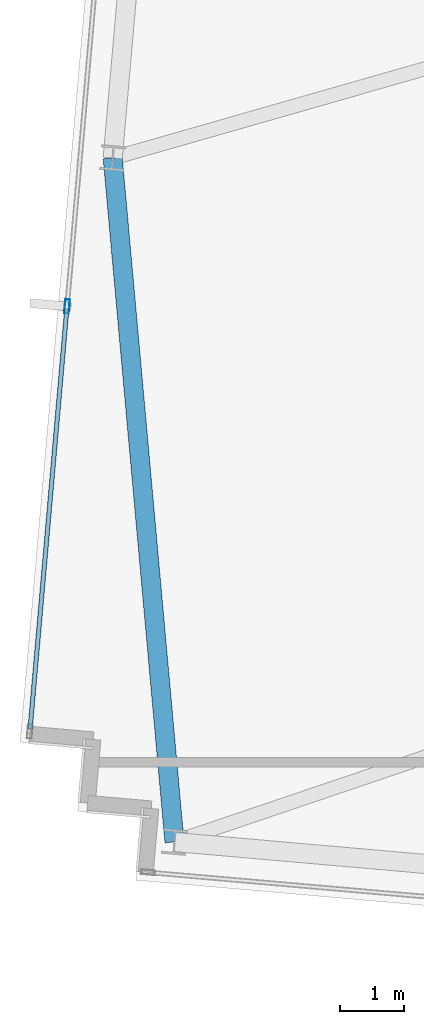
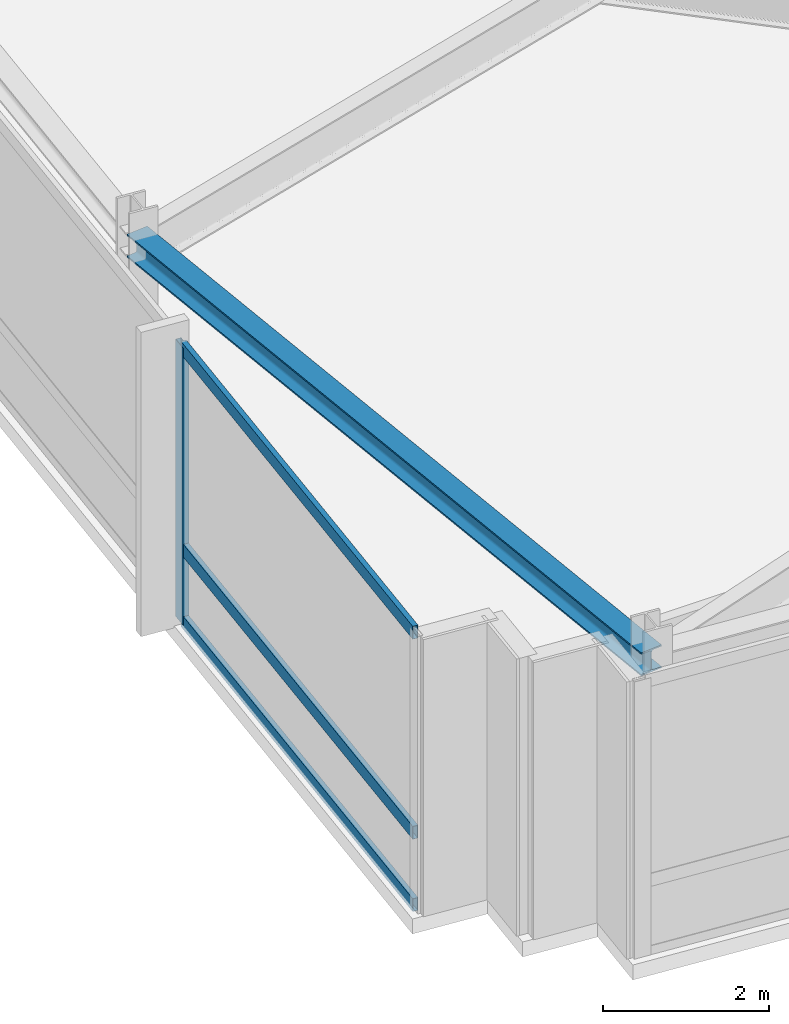
# One storey, part 3 of 25: 4 members, 1 beam, 1 element without a shape of its own.
"""IFC4 building model written with IfcOpenShell, lengths in metres."""

from ifc_helpers import new_model, si_unit, direction, frame, origin, origin_2d, place, context, subcontext, project, spatial, hollow_rectangle, i_section, extrude, material, material_profile, profile_set, type_object, element, aggregate, save


model = new_model("IFC4")

# Units and contexts
model_context = context("Model", 3, precision=1e-05, world=origin(), true_north=direction((0.0, 1.0)))
body_context = subcontext(model_context, "Body", "Model", "MODEL_VIEW")
ifc_project = project(units=[si_unit("LENGTHUNIT", "METRE"), si_unit("AREAUNIT", "SQUARE_METRE"), si_unit("VOLUMEUNIT", "CUBIC_METRE"), si_unit("PLANEANGLEUNIT", "RADIAN"), si_unit("MASSUNIT", "GRAM", prefix="KILO")], contexts=[model_context])

# Site, building, storey
site_placement = place(None, origin())
site = spatial("IfcSite", under=ifc_project, at=site_placement, CompositionType="ELEMENT")
building_placement = place(site_placement, origin())
building = spatial("IfcBuilding", under=site, at=building_placement, Name="Yelkora Congress Tower", CompositionType="ELEMENT")
storey_placement = place(building_placement, frame((0.0, 0.0, 299.89990234375)))
storey = spatial("IfcBuildingStorey", under=building, at=storey_placement, Name="L84", CompositionType="ELEMENT", Elevation=299.89990234375)

# Beam
ifc_material_1 = material(Name="Steel S355J2", Category="steel")
ifc_material_profile_1 = material_profile(ifc_material_1, i_section(OverallWidth=0.300048828125, OverallDepth=0.340087890625, WebThickness=0.011962890625, FlangeThickness=0.021484375, FilletRadius=0.027099609375, at=origin_2d()), Name="HEB 340")
ifc_profile_set_1 = profile_set([ifc_material_profile_1], Name="Steel S355J2")
beam_type = type_object("IfcBeamType", Name="BM-SPAN-HEB340", PredefinedType="SPANDREL", material=ifc_profile_set_1)
beam_placement = place(storey_placement, frame((7.029052734375, 30.822998046875, 3.91015625), z_axis=(0.08998177561, -0.995943412076, 0.0), x_axis=(0.995943412076, 0.08998177561, 0.0)))
element("IfcBeam", 1, at=beam_placement, inside=storey, type_object=beam_type, Name="L84 Perimeter Beam 15", PredefinedType="SPANDREL", context=body_context, shape_type="SweptSolid", body=[
    extrude(i_section(OverallWidth=0.300048828125, OverallDepth=0.340087890625, WebThickness=0.011962890625, FlangeThickness=0.021484375, FilletRadius=0.027099609375, at=origin_2d()), origin(), (0.0, 0.0, 1.0), 10.768798828125),
])

# Curtain wall, members
ifc_material_2 = material(Name="Anodised aluminium and insulated glass", Category="aluminium")
curtain_wall_type = type_object("IfcCurtainWallType", Name="CW-SYS-SKY", PredefinedType="NOTDEFINED", material=ifc_material_2)
curtain_wall_placement = place(storey_placement, origin())
curtain_wall = element("IfcCurtainWall", 2, at=curtain_wall_placement, inside=storey, type_object=curtain_wall_type, Name="L84 Unitised Curtain Wall 5", PredefinedType="NOTDEFINED")
ifc_material_3 = material(Name="Anodised aluminium 6063-T6", Category="aluminium")
ifc_material_profile_2 = material_profile(ifc_material_3, hollow_rectangle(XDim=0.074951171875, YDim=0.219970703125, WallThickness=0.0048828125, at=origin_2d()), Name="ALU 75x220x5")
ifc_profile_set_2 = profile_set([ifc_material_profile_2], Name="Anodised aluminium 6063-T6")
member_type_1 = type_object("IfcMemberType", Name="MEM-ML-SKY", PredefinedType="MULLION", material=ifc_profile_set_2)
member_1_placement = place(storey_placement, frame((6.313720703125, 28.49658203125, 0.0), z_axis=(0.0, 0.0, 1.0), x_axis=(-0.996194785929, 0.08715473876, 0.0)))
member_1 = element("IfcMember", 3, at=member_1_placement, type_object=member_type_1, Name="CW-SKY mullion 2", PredefinedType="MULLION", context=body_context, shape_type="SweptSolid", body=[
    extrude(hollow_rectangle(XDim=0.074951171875, YDim=0.219970703125, WallThickness=0.0048828125, at=origin_2d()), origin(), (0.0, 0.0, 1.0), 4.080078125),
])
ifc_material_profile_3 = material_profile(ifc_material_3, hollow_rectangle(XDim=0.070068359375, YDim=0.18994140625, WallThickness=0.00390625, at=origin_2d()), Name="ALU 70x190x4")
ifc_profile_set_3 = profile_set([ifc_material_profile_3], Name="Anodised aluminium 6063-T6")
member_type_2 = type_object("IfcMemberType", Name="MEM-TR-SKY", PredefinedType="USERDEFINED", material=ifc_profile_set_3)
member_2_placement = place(storey_placement, frame((5.733642578125, 21.866943359375, 0.03515625), z_axis=(0.087142236417, 0.99619587965, 0.0), x_axis=(-0.99619587965, 0.087142236417, 0.0)))
member_2 = element("IfcMember", 4, at=member_2_placement, type_object=member_type_2, Name="CW-SKY transom 1.1", ObjectType="TRANSOM", PredefinedType="USERDEFINED", context=body_context, shape_type="SweptSolid", body=[
    extrude(hollow_rectangle(XDim=0.070068359375, YDim=0.18994140625, WallThickness=0.00390625, at=origin_2d()), origin(), (0.0, 0.0, 1.0), 6.617431640625),
])
member_3_placement = place(storey_placement, frame((5.733642578125, 21.866943359375, 1.10009765625), z_axis=(0.087142236417, 0.99619587965, 0.0), x_axis=(-0.99619587965, 0.087142236417, 0.0)))
member_3 = element("IfcMember", 5, at=member_3_placement, type_object=member_type_2, Name="CW-SKY transom 1.2", ObjectType="TRANSOM", PredefinedType="USERDEFINED", context=body_context, shape_type="SweptSolid", body=[
    extrude(hollow_rectangle(XDim=0.070068359375, YDim=0.18994140625, WallThickness=0.00390625, at=origin_2d()), origin(), (0.0, 0.0, 1.0), 6.617431640625),
])
member_4_placement = place(storey_placement, frame((5.733642578125, 21.866943359375, 4.045166015625), z_axis=(0.087142236417, 0.99619587965, 0.0), x_axis=(-0.99619587965, 0.087142236417, 0.0)))
member_4 = element("IfcMember", 6, at=member_4_placement, type_object=member_type_2, Name="CW-SKY transom 1.3", ObjectType="TRANSOM", PredefinedType="USERDEFINED", context=body_context, shape_type="SweptSolid", body=[
    extrude(hollow_rectangle(XDim=0.070068359375, YDim=0.18994140625, WallThickness=0.00390625, at=origin_2d()), origin(), (0.0, 0.0, 1.0), 6.617431640625),
])
aggregate(curtain_wall, [member_1, member_2, member_3, member_4])

save(model, "model.ifc")
